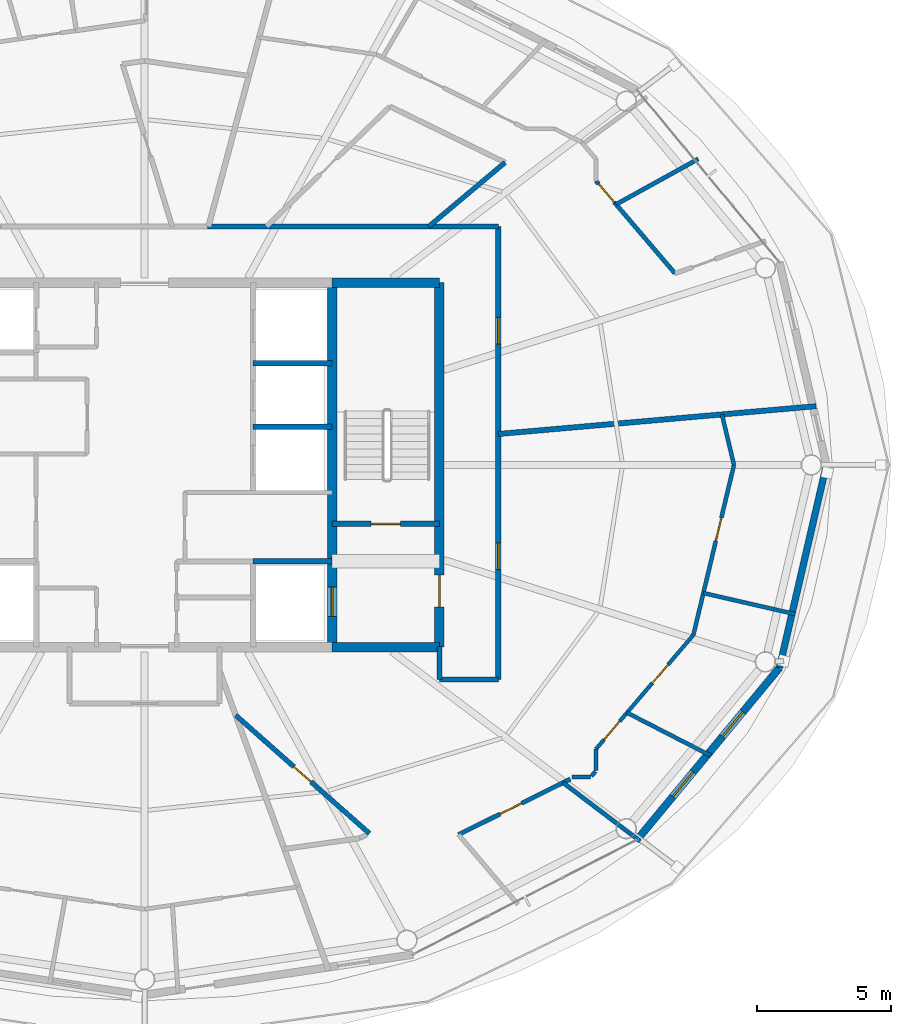
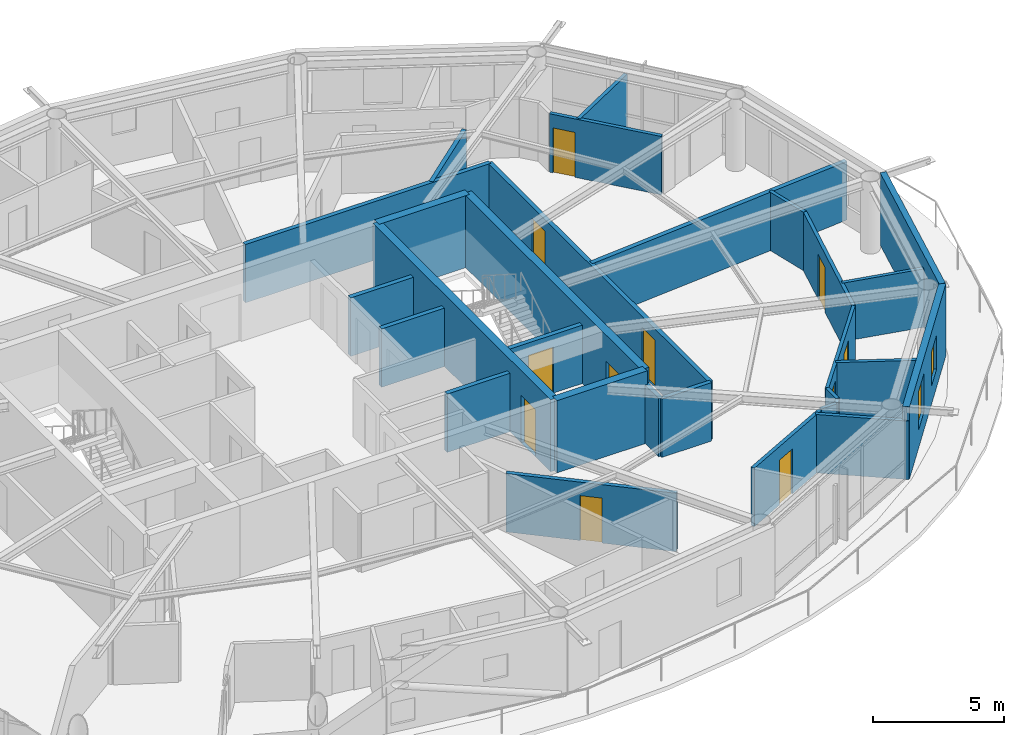
# One storey, part 18 of 23: 29 walls, 11 doors, 2 windows, 13 openings.
"""IFC4 building model written with IfcOpenShell, lengths in metres."""

from ifc_helpers import new_model, si_unit, direction, frame, frame_2d, origin, place, context, subcontext, project, spatial, rectangle, extrude, material, layer, layer_set, type_object, element, fill, save


model = new_model("IFC4")

# Units and contexts
model_context = context("Model", 3, precision=1e-05, world=origin(), true_north=direction((0.0, 1.0)))
body_context = subcontext(model_context, "Body", "Model", "MODEL_VIEW")
ifc_project = project(units=[si_unit("LENGTHUNIT", "METRE"), si_unit("AREAUNIT", "SQUARE_METRE"), si_unit("VOLUMEUNIT", "CUBIC_METRE"), si_unit("PLANEANGLEUNIT", "RADIAN"), si_unit("MASSUNIT", "GRAM", prefix="KILO")], contexts=[model_context])

# Site, building, storey
site_placement = place(None, origin())
site = spatial("IfcSite", under=ifc_project, at=site_placement, CompositionType="ELEMENT")
building_placement = place(site_placement, origin())
building = spatial("IfcBuilding", under=site, at=building_placement, Name="Sarneth Arch Tower", CompositionType="ELEMENT")
storey_placement = place(building_placement, frame((0.0, 0.0, 276.60009765625)))
storey = spatial("IfcBuildingStorey", under=building, at=storey_placement, Name="L71", CompositionType="ELEMENT", Elevation=276.60009765625)

# Walls
ifc_material_1 = material(Name="Concrete C50/60", Category="concrete")
ifc_layer_1 = layer(ifc_material_1, 0.35009765625)
ifc_layer_set_1 = layer_set([ifc_layer_1], Name="Concrete C50/60")
wall_type_1 = type_object("IfcWallType", Name="WALL-CORE-350", PredefinedType="SHEAR", material=ifc_layer_set_1)
for number, where, z_axis, x_axis, name in (
    (1, (55.0, 35.199951171875, 0.0), (0.0, 0.0, 1.0), (1.0, 0.0, 0.0), "L71 Core shear wall S-E"),
    (2, (55.0, 48.800048828125, 0.0), (0.0, 0.0, 1.0), (1.0, 0.0, 0.0), "L71 Core shear wall N-E"),
):
    element("IfcWall", number, at=place(storey_placement, frame(where, z_axis=z_axis, x_axis=x_axis)), inside=storey, type_object=wall_type_1, Name=name, PredefinedType="SHEAR", context=body_context, shape_type="SweptSolid", body=[
        extrude(rectangle(XDim=4.0, YDim=0.35009765625, at=frame_2d((2.0, 0.0))), origin(), (0.0, 0.0, 1.0), 3.369873046875),
    ])

# Wall, opening, door
wall_1_placement = place(storey_placement, frame((59.0, 35.199951171875, 0.0), z_axis=(0.0, 0.0, 1.0), x_axis=(0.0, 1.0, 0.0)))
wall_1 = element("IfcWall", 3, at=wall_1_placement, inside=storey, type_object=wall_type_1, Name="L71 Core shear wall E", PredefinedType="SHEAR", context=body_context, shape_type="SweptSolid", body=[
    extrude(rectangle(XDim=13.60009765625, YDim=0.35009765625, at=frame_2d((6.800048828125, 0.0))), origin(), (0.0, 0.0, 1.0), 3.369873046875),
])
opening_1_placement = place(wall_1_placement, frame((1.5, 0.0, 0.0)))
opening_1 = element("IfcOpeningElement", 4, at=opening_1_placement, cuts=wall_1, Name="Opening FD-02", PredefinedType="OPENING", context=body_context, shape_type="SweptSolid", body=[
    extrude(rectangle(XDim=1.199951171875, YDim=2.14990234375, at=frame_2d((0.60009765625, 1.074951171875))), frame((0.0, 0.18505859375, 0.0), z_axis=(0.0, -1.0, 0.0), x_axis=(1.0, 0.0, 0.0)), (0.0, 0.0, 1.0), 0.3701171875),
])
ifc_material_2 = material(Name="Galvanised Steel S275 fire door set", Category="steel")
door_type_1 = type_object("IfcDoorType", Name="DR-FD90-1200", OperationType="SINGLE_SWING_LEFT", PredefinedType="DOOR", material=ifc_material_2)
door_1_placement = place(opening_1_placement, origin())
door_1 = element("IfcDoor", 5, at=door_1_placement, inside=storey, type_object=door_type_1, Name="L71 Firefighting lobby 2 exit door", OperationType="SINGLE_SWING_RIGHT", OverallHeight=2.14990234375, OverallWidth=1.199951171875, PredefinedType="DOOR", context=body_context, shape_type="SweptSolid", body=[
    extrude(rectangle(XDim=1.199951171875, YDim=2.14990234375, at=frame_2d((0.60009765625, 1.074951171875))), frame((0.0, 0.02490234375, 0.0), z_axis=(0.0, -1.0, 0.0), x_axis=(1.0, 0.0, 0.0)), (0.0, 0.0, 1.0), 0.050048828125),
])
fill(opening_1, door_1)

wall_2_placement = place(storey_placement, frame((55.0, 35.199951171875, 0.0), z_axis=(0.0, 0.0, 1.0), x_axis=(0.0, 1.0, 0.0)))
wall_2 = element("IfcWall", 6, at=wall_2_placement, inside=storey, type_object=wall_type_1, Name="L71 Core shear wall WEB-E", PredefinedType="SHEAR", context=body_context, shape_type="SweptSolid", body=[
    extrude(rectangle(XDim=13.60009765625, YDim=0.35009765625, at=frame_2d((6.800048828125, 0.0))), origin(), (0.0, 0.0, 1.0), 3.369873046875),
])
opening_2_placement = place(wall_2_placement, frame((1.14990234375, 0.0, 0.0)))
opening_2 = element("IfcOpeningElement", 7, at=opening_2_placement, cuts=wall_2, Name="Opening LD-1", PredefinedType="OPENING", context=body_context, shape_type="SweptSolid", body=[
    extrude(rectangle(XDim=1.10009765625, YDim=2.199951171875, at=frame_2d((0.550048828125, 1.10009765625))), frame((0.0, 0.18505859375, 0.0), z_axis=(0.0, -1.0, 0.0), x_axis=(1.0, 0.0, 0.0)), (0.0, 0.0, 1.0), 0.3701171875),
])
ifc_material_3 = material(Name="Brushed Stainless Steel 304 lift landing door", Category="steel")
door_type_2 = type_object("IfcDoorType", Name="DR-LIFT-SLIDE-1100", OperationType="SLIDING_TO_LEFT", PredefinedType="DOOR", material=ifc_material_3)
door_2_placement = place(opening_2_placement, origin())
door_2 = element("IfcDoor", 8, at=door_2_placement, inside=storey, type_object=door_type_2, Name="L71 Firefighting lift landing door FL-2", OperationType="SLIDING_TO_RIGHT", OverallHeight=2.199951171875, OverallWidth=1.10009765625, PredefinedType="DOOR", context=body_context, shape_type="SweptSolid", body=[
    extrude(rectangle(XDim=1.10009765625, YDim=2.199951171875, at=frame_2d((0.550048828125, 1.10009765625))), frame((0.0, 0.02490234375, 0.0), z_axis=(0.0, -1.0, 0.0), x_axis=(1.0, 0.0, 0.0)), (0.0, 0.0, 1.0), 0.050048828125),
])
fill(opening_2, door_2)

# Wall, openings, doors
ifc_material_4 = material(Name="Double steel-stud corridor fire wall", Category="steel")
ifc_layer_2 = layer(ifc_material_4, 0.18994140625)
ifc_layer_set_2 = layer_set([ifc_layer_2], Name="Double steel-stud corridor fire wall")
wall_type_2 = type_object("IfcWallType", Name="WALL-CORR-190", PredefinedType="PARTITIONING", material=ifc_layer_set_2)
wall_3_placement = place(storey_placement, frame((61.199951171875, 50.89990234375, 0.0), z_axis=(0.0, 0.0, 1.0), x_axis=(0.0, -1.0, 0.0)))
wall_3 = element("IfcWall", 9, at=wall_3_placement, inside=storey, type_object=wall_type_2, Name="L71 Interior partition W-L71-TP-012", PredefinedType="PARTITIONING", context=body_context, shape_type="SweptSolid", body=[
    extrude(rectangle(XDim=16.89990234375, YDim=0.18994140625, at=frame_2d((8.449951171875, 0.0))), origin(), (0.0, 0.0, 1.0), 2.72998046875),
])
opening_3_placement = place(wall_3_placement, frame((11.806640625, 0.0, 0.0)))
opening_3 = element("IfcOpeningElement", 10, at=opening_3_placement, cuts=wall_3, Name="Opening FD-08", PredefinedType="OPENING", context=body_context, shape_type="SweptSolid", body=[
    extrude(rectangle(XDim=1.0, YDim=2.199951171875, at=frame_2d((0.5, 1.10009765625))), frame((0.0, 0.10498046875, 0.0), z_axis=(0.0, -1.0, 0.0), x_axis=(1.0, 0.0, 0.0)), (0.0, 0.0, 1.0), 0.2099609375),
])
opening_4_placement = place(wall_3_placement, frame((3.388671875, 0.0, 0.0)))
opening_4 = element("IfcOpeningElement", 11, at=opening_4_placement, cuts=wall_3, Name="Opening FD-08", PredefinedType="OPENING", context=body_context, shape_type="SweptSolid", body=[
    extrude(rectangle(XDim=1.0, YDim=2.199951171875, at=frame_2d((0.5, 1.10009765625))), frame((0.0, 0.10498046875, 0.0), z_axis=(0.0, -1.0, 0.0), x_axis=(1.0, 0.0, 0.0)), (0.0, 0.0, 1.0), 0.2099609375),
])
ifc_material_5 = material(Name="Hardwood timber acoustic fire door", Category="wood")
door_type_3 = type_object("IfcDoorType", Name="DR-FD60-1000", OperationType="SINGLE_SWING_LEFT", PredefinedType="DOOR", material=ifc_material_5)
door_3_placement = place(opening_3_placement, origin())
door_3 = element("IfcDoor", 12, at=door_3_placement, inside=storey, type_object=door_type_3, Name="L71 Interior door DR-L71-U5-ENT", OperationType="SINGLE_SWING_RIGHT", OverallHeight=2.199951171875, OverallWidth=1.0, PredefinedType="DOOR", context=body_context, shape_type="SweptSolid", body=[
    extrude(rectangle(XDim=1.0, YDim=2.199951171875, at=frame_2d((0.5, 1.10009765625))), frame((0.0, 0.02490234375, 0.0), z_axis=(0.0, -1.0, 0.0), x_axis=(1.0, 0.0, 0.0)), (0.0, 0.0, 1.0), 0.050048828125),
])
fill(opening_3, door_3)
door_4_placement = place(opening_4_placement, origin())
door_4 = element("IfcDoor", 13, at=door_4_placement, inside=storey, type_object=door_type_3, Name="L71 Interior door DR-L71-U1-ENT", OperationType="SINGLE_SWING_LEFT", OverallHeight=2.199951171875, OverallWidth=1.0, PredefinedType="DOOR", context=body_context, shape_type="SweptSolid", body=[
    extrude(rectangle(XDim=1.0, YDim=2.199951171875, at=frame_2d((0.5, 1.10009765625))), frame((0.0, 0.02490234375, 0.0), z_axis=(0.0, -1.0, 0.0), x_axis=(1.0, 0.0, 0.0)), (0.0, 0.0, 1.0), 0.050048828125),
])
fill(opening_4, door_4)

# Walls
wall_4_placement = place(storey_placement, frame((50.3515625, 50.89990234375, 0.0), z_axis=(0.0, 0.0, 1.0), x_axis=(1.0, 0.0, 0.0)))
element("IfcWall", 14, at=wall_4_placement, inside=storey, type_object=wall_type_2, Name="L71 Interior partition W-L71-TP-004", PredefinedType="PARTITIONING", context=body_context, shape_type="SweptSolid", body=[
    extrude(rectangle(XDim=10.848388671875, YDim=0.18994140625, at=frame_2d((5.42431640625, 0.0))), origin(), (0.0, 0.0, 1.0), 2.72998046875),
])
wall_5_placement = place(storey_placement, frame((61.199951171875, 34.0, 0.0), z_axis=(0.0, 0.0, 1.0), x_axis=(-1.0, 0.0, 0.0)))
element("IfcWall", 15, at=wall_5_placement, inside=storey, type_object=wall_type_2, Name="L71 Interior partition W-L71-TP-013", PredefinedType="PARTITIONING", context=body_context, shape_type="SweptSolid", body=[
    extrude(rectangle(XDim=2.199951171875, YDim=0.18994140625, at=frame_2d((1.10009765625, 0.0))), origin(), (0.0, 0.0, 1.0), 2.72998046875),
])
wall_6_placement = place(storey_placement, frame((59.0, 34.0, 0.0), z_axis=(0.0, 0.0, 1.0), x_axis=(0.0, 1.0, 0.0)))
element("IfcWall", 16, at=wall_6_placement, inside=storey, type_object=wall_type_2, Name="L71 Interior partition W-L71-TP-014", PredefinedType="PARTITIONING", context=body_context, shape_type="SweptSolid", body=[
    extrude(rectangle(XDim=1.23193359375, YDim=0.18994140625, at=frame_2d((0.615966796875, 0.0))), origin(), (0.0, 0.0, 1.0), 2.72998046875),
])
ifc_material_6 = material(Name="Extruded terracotta rainscreen on Concrete C40/50 backing", Category="masonry")
ifc_layer_3 = layer(ifc_material_6, 0.25)
ifc_layer_set_3 = layer_set([ifc_layer_3], Name="Extruded terracotta rainscreen on Concrete C40/50 backing")
wall_type_3 = type_object("IfcWallType", Name="WALL-EXT-SPAND-250", PredefinedType="SOLIDWALL", material=ifc_layer_set_3)
wall_7_placement = place(storey_placement, frame((71.69384765625, 34.430419921875, 0.0), z_axis=(0.0, 0.0, 1.0), x_axis=(0.225635078214, 0.974211892495, 0.0)))
element("IfcWall", 17, at=wall_7_placement, inside=storey, type_object=wall_type_3, Name="L71 Terracotta perimeter wall 16", PredefinedType="SOLIDWALL", context=body_context, shape_type="SweptSolid", body=[
    extrude(rectangle(XDim=7.77001953125, YDim=0.25, at=frame_2d((3.885009765625, 0.0))), origin(), (0.0, 0.0, 1.0), 3.369873046875),
])

# Wall, openings, windows
ifc_material_7 = material(Name="Extruded terracotta rainscreen on Concrete C40/50 backing", Category="masonry")
ifc_layer_4 = layer(ifc_material_7, 0.280029296875)
ifc_layer_set_4 = layer_set([ifc_layer_4], Name="Extruded terracotta rainscreen on Concrete C40/50 backing")
wall_type_4 = type_object("IfcWallType", Name="WALL-EXT-TERRA-280", PredefinedType="SOLIDWALL", material=ifc_layer_set_4)
wall_8_placement = place(storey_placement, frame((66.382568359375, 28.013427734375, 0.0), z_axis=(0.0, 0.0, 1.0), x_axis=(0.63761509934, 0.770355103243, 0.0)))
wall_8 = element("IfcWall", 18, at=wall_8_placement, inside=storey, type_object=wall_type_4, Name="L71 Terracotta perimeter wall 15", PredefinedType="SOLIDWALL", context=body_context, shape_type="SweptSolid", body=[
    extrude(rectangle(XDim=8.329833984375, YDim=0.280029296875, at=frame_2d((4.1650390625, 0.0))), origin(), (0.0, 0.0, 1.0), 3.369873046875),
])
opening_5_placement = place(wall_8_placement, frame((2.0859375, 0.0, 0.85009765625)))
opening_5 = element("IfcOpeningElement", 19, at=opening_5_placement, cuts=wall_8, Name="Opening W-09", PredefinedType="OPENING", context=body_context, shape_type="SweptSolid", body=[
    extrude(rectangle(XDim=1.199951171875, YDim=1.800048828125, at=frame_2d((0.60009765625, 0.89990234375))), frame((0.0, 0.14990234375, 0.0), z_axis=(0.0, -1.0, 0.0), x_axis=(1.0, 0.0, 0.0)), (0.0, 0.0, 1.0), 0.300048828125),
])
opening_6_placement = place(wall_8_placement, frame((4.990966796875, 0.0, 0.85009765625)))
opening_6 = element("IfcOpeningElement", 20, at=opening_6_placement, cuts=wall_8, Name="Opening W-10", PredefinedType="OPENING", context=body_context, shape_type="SweptSolid", body=[
    extrude(rectangle(XDim=1.199951171875, YDim=1.60009765625, at=frame_2d((0.60009765625, 0.800048828125))), frame((0.0, 0.14990234375, 0.0), z_axis=(0.0, -1.0, 0.0), x_axis=(1.0, 0.0, 0.0)), (0.0, 0.0, 1.0), 0.300048828125),
])
ifc_material_8 = material(Name="Thermally broken Aluminium 6063-T6 and low-e laminated IGU", Category="aluminium")
window_type_1 = type_object("IfcWindowType", Name="WIN-TWR-1200x1600", PartitioningType="SINGLE_PANEL", PredefinedType="WINDOW", material=ifc_material_8)
window_1_placement = place(opening_6_placement, origin())
window_1 = element("IfcWindow", 21, at=window_1_placement, inside=storey, type_object=window_type_1, Name="L71 Exterior window 15B", OverallHeight=1.60009765625, OverallWidth=1.199951171875, PartitioningType="SINGLE_PANEL", PredefinedType="WINDOW", context=body_context, shape_type="SweptSolid", body=[
    extrude(rectangle(XDim=1.199951171875, YDim=1.60009765625, at=frame_2d((0.60009765625, 0.800048828125))), frame((0.0, 0.030029296875, 0.0), z_axis=(0.0, -1.0, 0.0), x_axis=(1.0, 0.0, 0.0)), (0.0, 0.0, 1.0), 0.06005859375),
])
fill(opening_6, window_1)
ifc_material_9 = material(Name="Thermally broken Aluminium 6063-T6 and low-e laminated IGU", Category="aluminium")
window_type_2 = type_object("IfcWindowType", Name="WIN-TWR-1200x1800", PartitioningType="SINGLE_PANEL", PredefinedType="WINDOW", material=ifc_material_9)
window_2_placement = place(opening_5_placement, origin())
window_2 = element("IfcWindow", 22, at=window_2_placement, inside=storey, type_object=window_type_2, Name="L71 Exterior window 15A", OverallHeight=1.800048828125, OverallWidth=1.199951171875, PartitioningType="SINGLE_PANEL", PredefinedType="WINDOW", context=body_context, shape_type="SweptSolid", body=[
    extrude(rectangle(XDim=1.199951171875, YDim=1.800048828125, at=frame_2d((0.60009765625, 0.89990234375))), frame((0.0, 0.030029296875, 0.0), z_axis=(0.0, -1.0, 0.0), x_axis=(1.0, 0.0, 0.0)), (0.0, 0.0, 1.0), 0.06005859375),
])
fill(opening_5, window_2)

# Wall, openings, doors
ifc_material_10 = material(Name="Apartment internal stud partition", Category="gypsum")
ifc_layer_5 = layer(ifc_material_10, 0.139892578125)
ifc_layer_set_5 = layer_set([ifc_layer_5], Name="Apartment internal stud partition")
wall_type_5 = type_object("IfcWallType", Name="WALL-PART-140", PredefinedType="PARTITIONING", material=ifc_layer_set_5)
wall_9_placement = place(storey_placement, frame((64.85009765625, 31.401123046875, 0.0), z_axis=(0.0, 0.0, 1.0), x_axis=(0.649208179997, 0.760610767097, 0.0)))
wall_9 = element("IfcWall", 23, at=wall_9_placement, inside=storey, type_object=wall_type_5, Name="L71 Interior partition W-L71-TP-091", PredefinedType="PARTITIONING", context=body_context, shape_type="SweptSolid", body=[
    extrude(rectangle(XDim=5.5927734375, YDim=0.139892578125, at=frame_2d((2.79638671875, 0.0))), origin(), (0.0, 0.0, 1.0), 2.72998046875),
])
opening_7_placement = place(wall_9_placement, frame((3.235107421875, 0.0, 0.0)))
opening_7 = element("IfcOpeningElement", 24, at=opening_7_placement, cuts=wall_9, Name="Opening ID-01", PredefinedType="OPENING", context=body_context, shape_type="SweptSolid", body=[
    extrude(rectangle(XDim=0.89990234375, YDim=2.10009765625, at=frame_2d((0.449951171875, 1.050048828125))), frame((0.0, 0.079833984375, 0.0), z_axis=(0.0, -1.0, 0.0), x_axis=(1.0, 0.0, 0.0)), (0.0, 0.0, 1.0), 0.159912109375),
])
opening_8_placement = place(wall_9_placement, frame((0.455078125, 0.0, 0.0)))
opening_8 = element("IfcOpeningElement", 25, at=opening_8_placement, cuts=wall_9, Name="Opening ID-01", PredefinedType="OPENING", context=body_context, shape_type="SweptSolid", body=[
    extrude(rectangle(XDim=0.89990234375, YDim=2.10009765625, at=frame_2d((0.449951171875, 1.050048828125))), frame((0.0, 0.079833984375, 0.0), z_axis=(0.0, -1.0, 0.0), x_axis=(1.0, 0.0, 0.0)), (0.0, 0.0, 1.0), 0.159912109375),
])
ifc_material_11 = material(Name="Engineered hardwood flush door", Category="wood")
door_type_4 = type_object("IfcDoorType", Name="DR-INT-900", OperationType="SINGLE_SWING_LEFT", PredefinedType="DOOR", material=ifc_material_11)
door_5_placement = place(opening_7_placement, origin())
door_5 = element("IfcDoor", 26, at=door_5_placement, inside=storey, type_object=door_type_4, Name="L71 Interior door DR-L71-U5-BED2", OperationType="SINGLE_SWING_LEFT", OverallHeight=2.10009765625, OverallWidth=0.89990234375, PredefinedType="DOOR", context=body_context, shape_type="SweptSolid", body=[
    extrude(rectangle(XDim=0.89990234375, YDim=2.10009765625, at=frame_2d((0.449951171875, 1.050048828125))), frame((0.0, 0.02490234375, 0.0), z_axis=(0.0, -1.0, 0.0), x_axis=(1.0, 0.0, 0.0)), (0.0, 0.0, 1.0), 0.050048828125),
])
fill(opening_7, door_5)
door_6_placement = place(opening_8_placement, origin())
door_6 = element("IfcDoor", 27, at=door_6_placement, inside=storey, type_object=door_type_4, Name="L71 Interior door DR-L71-U5-BED1", OperationType="SINGLE_SWING_RIGHT", OverallHeight=2.10009765625, OverallWidth=0.89990234375, PredefinedType="DOOR", context=body_context, shape_type="SweptSolid", body=[
    extrude(rectangle(XDim=0.89990234375, YDim=2.10009765625, at=frame_2d((0.449951171875, 1.050048828125))), frame((0.0, 0.02490234375, 0.0), z_axis=(0.0, -1.0, 0.0), x_axis=(1.0, 0.0, 0.0)), (0.0, 0.0, 1.0), 0.050048828125),
])
fill(opening_8, door_6)

# Wall, opening, door
ifc_material_12 = material(Name="Acoustic gypsum stud partition", Category="gypsum")
ifc_layer_6 = layer(ifc_material_12, 0.14990234375)
ifc_layer_set_6 = layer_set([ifc_layer_6], Name="Acoustic gypsum stud partition")
wall_type_6 = type_object("IfcWallType", Name="WALL-PART-150", PredefinedType="PARTITIONING", material=ifc_layer_set_6)
wall_10_placement = place(storey_placement, frame((69.996337890625, 42.0, 0.0), z_axis=(0.0, 0.0, 1.0), x_axis=(-0.232298462197, -0.972644551962, 0.0)))
wall_10 = element("IfcWall", 28, at=wall_10_placement, inside=storey, type_object=wall_type_6, Name="L71 Interior partition W-L71-TP-094", PredefinedType="PARTITIONING", context=body_context, shape_type="SweptSolid", body=[
    extrude(rectangle(XDim=6.5234375, YDim=0.14990234375, at=frame_2d((3.26171875, 0.0))), origin(), (0.0, 0.0, 1.0), 2.72998046875),
])
opening_9_placement = place(wall_10_placement, frame((2.024169921875, 0.0, 0.0)))
opening_9 = element("IfcOpeningElement", 29, at=opening_9_placement, cuts=wall_10, Name="Opening ID-01", PredefinedType="OPENING", context=body_context, shape_type="SweptSolid", body=[
    extrude(rectangle(XDim=0.89990234375, YDim=2.10009765625, at=frame_2d((0.449951171875, 1.050048828125))), frame((0.0, 0.0849609375, 0.0), z_axis=(0.0, -1.0, 0.0), x_axis=(1.0, 0.0, 0.0)), (0.0, 0.0, 1.0), 0.169921875),
])
door_7_placement = place(opening_9_placement, origin())
door_7 = element("IfcDoor", 30, at=door_7_placement, inside=storey, type_object=door_type_4, Name="L71 Interior door DR-L71-U5-BED3", OperationType="SINGLE_SWING_LEFT", OverallHeight=2.10009765625, OverallWidth=0.89990234375, PredefinedType="DOOR", context=body_context, shape_type="SweptSolid", body=[
    extrude(rectangle(XDim=0.89990234375, YDim=2.10009765625, at=frame_2d((0.449951171875, 1.050048828125))), frame((0.0, 0.02490234375, 0.0), z_axis=(0.0, -1.0, 0.0), x_axis=(1.0, 0.0, 0.0)), (0.0, 0.0, 1.0), 0.050048828125),
])
fill(opening_9, door_7)

# Walls
wall_11_placement = place(storey_placement, frame((72.280517578125, 36.432373046875, 0.0), z_axis=(0.0, 0.0, 1.0), x_axis=(-0.974703956651, 0.223499881182, 0.0)))
element("IfcWall", 31, at=wall_11_placement, inside=storey, type_object=wall_type_6, Name="L71 Interior partition W-L71-TP-097", PredefinedType="PARTITIONING", context=body_context, shape_type="SweptSolid", body=[
    extrude(rectangle(XDim=3.51513671875, YDim=0.14990234375, at=frame_2d((1.757568359375, 0.0))), origin(), (0.0, 0.0, 1.0), 2.72998046875),
])
wall_12_placement = place(storey_placement, frame((69.128662109375, 31.147705078125, 0.0), z_axis=(0.0, 0.0, 1.0), x_axis=(-0.889538013169, 0.456861163951, 0.0)))
element("IfcWall", 32, at=wall_12_placement, inside=storey, type_object=wall_type_6, Name="L71 Interior partition W-L71-TP-096", PredefinedType="PARTITIONING", context=body_context, shape_type="SweptSolid", body=[
    extrude(rectangle(XDim=3.512939453125, YDim=0.14990234375, at=frame_2d((1.75634765625, 0.0))), origin(), (0.0, 0.0, 1.0), 2.72998046875),
])
wall_13_placement = place(storey_placement, frame((69.546142578125, 43.885009765625, 0.0), z_axis=(0.0, 0.0, 1.0), x_axis=(0.232296027223, -0.972645133508, 0.0)))
element("IfcWall", 33, at=wall_13_placement, inside=storey, type_object=wall_type_6, Name="L71 Interior partition W-L71-TP-093", PredefinedType="PARTITIONING", context=body_context, shape_type="SweptSolid", body=[
    extrude(rectangle(XDim=1.93798828125, YDim=0.14990234375, at=frame_2d((0.968994140625, 0.0))), origin(), (0.0, 0.0, 1.0), 2.72998046875),
])
wall_14_placement = place(storey_placement, frame((64.85009765625, 31.401123046875, 0.0), z_axis=(0.0, 0.0, 1.0), x_axis=(0.0, -1.0, 0.0)))
element("IfcWall", 34, at=wall_14_placement, inside=storey, type_object=wall_type_6, Name="L71 Interior partition W-L71-TP-087", PredefinedType="PARTITIONING", context=body_context, shape_type="SweptSolid", body=[
    extrude(rectangle(XDim=0.8115234375, YDim=0.14990234375, at=frame_2d((0.40576171875, 0.0))), origin(), (0.0, 0.0, 1.0), 2.72998046875),
])
wall_15_placement = place(storey_placement, frame((64.6455078125, 30.35009765625, 0.0), z_axis=(0.0, 0.0, 1.0), x_axis=(-1.0, 0.0, 0.0)))
element("IfcWall", 35, at=wall_15_placement, inside=storey, type_object=wall_type_6, Name="L71 Interior partition W-L71-TP-089", PredefinedType="PARTITIONING", context=body_context, shape_type="SweptSolid", body=[
    extrude(rectangle(XDim=0.692626953125, YDim=0.14990234375, at=frame_2d((0.34619140625, 0.0))), origin(), (0.0, 0.0, 1.0), 2.72998046875),
])
wall_16_placement = place(storey_placement, frame((64.823974609375, 30.559326171875, 0.0), z_axis=(0.0, 0.0, 1.0), x_axis=(-0.648874632887, -0.760895334981, 0.0)))
element("IfcWall", 36, at=wall_16_placement, inside=storey, type_object=wall_type_6, Name="L71 Interior partition W-L71-TP-088", PredefinedType="PARTITIONING", context=body_context, shape_type="SweptSolid", body=[
    extrude(rectangle(XDim=0.23095703125, YDim=0.14990234375, at=frame_2d((0.115478515625, 0.0))), origin(), (0.0, 0.0, 1.0), 2.72998046875),
])

# Wall, opening, door
ifc_material_13 = material(Name="Kitchen wet service chase wall", Category="gypsum")
ifc_layer_7 = layer(ifc_material_13, 0.159912109375)
ifc_layer_set_7 = layer_set([ifc_layer_7], Name="Kitchen wet service chase wall")
wall_type_7 = type_object("IfcWallType", Name="WALL-PLUMB-160", PredefinedType="PLUMBINGWALL", material=ifc_layer_set_7)
wall_17_placement = place(storey_placement, frame((59.71826171875, 28.203857421875, 0.0), z_axis=(0.0, 0.0, 1.0), x_axis=(0.895587741002, 0.444884926882, 0.0)))
wall_17 = element("IfcWall", 37, at=wall_17_placement, inside=storey, type_object=wall_type_7, Name="L71 Interior partition W-L71-TP-082", PredefinedType="PLUMBINGWALL", context=body_context, shape_type="SweptSolid", body=[
    extrude(rectangle(XDim=4.657958984375, YDim=0.159912109375, at=frame_2d((2.3291015625, 0.0))), origin(), (0.0, 0.0, 1.0), 2.72998046875),
])
opening_10_placement = place(wall_17_placement, frame((1.727783203125, 0.0, 0.0)))
opening_10 = element("IfcOpeningElement", 38, at=opening_10_placement, cuts=wall_17, Name="Opening ID-01", PredefinedType="OPENING", context=body_context, shape_type="SweptSolid", body=[
    extrude(rectangle(XDim=0.89990234375, YDim=2.10009765625, at=frame_2d((0.449951171875, 1.050048828125))), frame((0.0, 0.08984375, 0.0), z_axis=(0.0, -1.0, 0.0), x_axis=(1.0, 0.0, 0.0)), (0.0, 0.0, 1.0), 0.179931640625),
])
door_8_placement = place(opening_10_placement, origin())
door_8 = element("IfcDoor", 39, at=door_8_placement, inside=storey, type_object=door_type_4, Name="L71 Interior door DR-L71-U5-KIT", OperationType="SINGLE_SWING_LEFT", OverallHeight=2.10009765625, OverallWidth=0.89990234375, PredefinedType="DOOR", context=body_context, shape_type="SweptSolid", body=[
    extrude(rectangle(XDim=0.89990234375, YDim=2.10009765625, at=frame_2d((0.449951171875, 1.050048828125))), frame((0.0, 0.02490234375, 0.0), z_axis=(0.0, -1.0, 0.0), x_axis=(1.0, 0.0, 0.0)), (0.0, 0.0, 1.0), 0.050048828125),
])
fill(opening_10, door_8)

# Walls
wall_18_placement = place(storey_placement, frame((63.619140625, 30.1416015625, 0.0), z_axis=(0.0, 0.0, 1.0), x_axis=(0.796471054337, -0.604676657068, 0.0)))
element("IfcWall", 40, at=wall_18_placement, inside=storey, type_object=wall_type_7, Name="L71 Interior partition W-L71-TP-095", PredefinedType="PLUMBINGWALL", context=body_context, shape_type="SweptSolid", body=[
    extrude(rectangle(XDim=3.608642578125, YDim=0.159912109375, at=frame_2d((1.80419921875, 0.0))), origin(), (0.0, 0.0, 1.0), 2.72998046875),
])
wall_19_placement = place(storey_placement, frame((65.596923828125, 51.7236328125, 0.0), z_axis=(0.0, 0.0, 1.0), x_axis=(0.875279589691, 0.483617245216, 0.0)))
element("IfcWall", 41, at=wall_19_placement, inside=storey, type_object=wall_type_7, Name="L71 Interior partition W-L71-TP-037", PredefinedType="PLUMBINGWALL", context=body_context, shape_type="SweptSolid", body=[
    extrude(rectangle(XDim=3.501953125, YDim=0.159912109375, at=frame_2d((1.7509765625, 0.0))), origin(), (0.0, 0.0, 1.0), 2.72998046875),
])

# Wall, opening, door
wall_20_placement = place(storey_placement, frame((67.798583984375, 49.144287109375, 0.0), z_axis=(0.0, 0.0, 1.0), x_axis=(-0.649191845301, 0.760624709035, 0.0)))
wall_20 = element("IfcWall", 42, at=wall_20_placement, inside=storey, type_object=wall_type_7, Name="L71 Interior partition W-L71-TP-023", PredefinedType="PLUMBINGWALL", context=body_context, shape_type="SweptSolid", body=[
    extrude(rectangle(XDim=4.541748046875, YDim=0.159912109375, at=frame_2d((2.27099609375, 0.0))), origin(), (0.0, 0.0, 1.0), 2.72998046875),
])
opening_11_placement = place(wall_20_placement, frame((3.500244140625, 0.0, 0.0)))
opening_11 = element("IfcOpeningElement", 43, at=opening_11_placement, cuts=wall_20, Name="Opening ID-01", PredefinedType="OPENING", context=body_context, shape_type="SweptSolid", body=[
    extrude(rectangle(XDim=0.89990234375, YDim=2.10009765625, at=frame_2d((0.449951171875, 1.050048828125))), frame((0.0, 0.08984375, 0.0), z_axis=(0.0, -1.0, 0.0), x_axis=(1.0, 0.0, 0.0)), (0.0, 0.0, 1.0), 0.179931640625),
])
door_9_placement = place(opening_11_placement, origin())
door_9 = element("IfcDoor", 44, at=door_9_placement, inside=storey, type_object=door_type_4, Name="L71 Interior door DR-L71-U1-STD", OperationType="SINGLE_SWING_LEFT", OverallHeight=2.10009765625, OverallWidth=0.89990234375, PredefinedType="DOOR", context=body_context, shape_type="SweptSolid", body=[
    extrude(rectangle(XDim=0.89990234375, YDim=2.10009765625, at=frame_2d((0.449951171875, 1.050048828125))), frame((0.0, 0.02490234375, 0.0), z_axis=(0.0, -1.0, 0.0), x_axis=(1.0, 0.0, 0.0)), (0.0, 0.0, 1.0), 0.050048828125),
])
fill(opening_11, door_9)

ifc_material_14 = material(Name="Moisture-resistant plumbing chase wall", Category="gypsum")
ifc_layer_8 = layer(ifc_material_14, 0.179931640625)
ifc_layer_set_8 = layer_set([ifc_layer_8], Name="Moisture-resistant plumbing chase wall")
wall_type_8 = type_object("IfcWallType", Name="WALL-PLUMB-180", PredefinedType="PLUMBINGWALL", material=ifc_layer_set_8)
wall_21_placement = place(storey_placement, frame((56.389404296875, 28.24609375, 0.0), z_axis=(0.0, 0.0, 1.0), x_axis=(-0.749087509224, 0.662471058632, 0.0)))
wall_21 = element("IfcWall", 45, at=wall_21_placement, inside=storey, type_object=wall_type_8, Name="L71 Interior partition W-L71-TP-085", PredefinedType="PLUMBINGWALL", context=body_context, shape_type="SweptSolid", body=[
    extrude(rectangle(XDim=6.660400390625, YDim=0.179931640625, at=frame_2d((3.330078125, 0.0))), origin(), (0.0, 0.0, 1.0), 2.72998046875),
])
opening_12_placement = place(wall_21_placement, frame((2.9052734375, 0.0, 0.0)))
opening_12 = element("IfcOpeningElement", 46, at=opening_12_placement, cuts=wall_21, Name="Opening ID-02", PredefinedType="OPENING", context=body_context, shape_type="SweptSolid", body=[
    extrude(rectangle(XDim=0.85009765625, YDim=2.10009765625, at=frame_2d((0.425048828125, 1.050048828125))), frame((0.0, 0.099853515625, 0.0), z_axis=(0.0, -1.0, 0.0), x_axis=(1.0, 0.0, 0.0)), (0.0, 0.0, 1.0), 0.199951171875),
])
ifc_material_15 = material(Name="Moisture-resistant bathroom timber door", Category="wood")
door_type_5 = type_object("IfcDoorType", Name="DR-INT-850", OperationType="SINGLE_SWING_RIGHT", PredefinedType="DOOR", material=ifc_material_15)
door_10_placement = place(opening_12_placement, origin())
door_10 = element("IfcDoor", 47, at=door_10_placement, inside=storey, type_object=door_type_5, Name="L71 Interior door DR-L71-U5-BATH", OperationType="SINGLE_SWING_LEFT", OverallHeight=2.10009765625, OverallWidth=0.85009765625, PredefinedType="DOOR", context=body_context, shape_type="SweptSolid", body=[
    extrude(rectangle(XDim=0.85009765625, YDim=2.10009765625, at=frame_2d((0.425048828125, 1.050048828125))), frame((0.0, 0.02490234375, 0.0), z_axis=(0.0, -1.0, 0.0), x_axis=(1.0, 0.0, 0.0)), (0.0, 0.0, 1.0), 0.050048828125),
])
fill(opening_12, door_10)

# Wall
wall_22_placement = place(storey_placement, frame((58.606689453125, 50.89990234375, 0.0), z_axis=(0.0, 0.0, 1.0), x_axis=(0.766018186203, 0.642818900163, 0.0)))
element("IfcWall", 48, at=wall_22_placement, inside=storey, type_object=wall_type_8, Name="L71 Interior partition W-L71-TP-024", PredefinedType="PLUMBINGWALL", context=body_context, shape_type="SweptSolid", body=[
    extrude(rectangle(XDim=3.713623046875, YDim=0.179931640625, at=frame_2d((1.85693359375, 0.0))), origin(), (0.0, 0.0, 1.0), 2.72998046875),
])

# Wall, opening, door
ifc_material_16 = material(Name="Aerated concrete blockwork C25/30", Category="masonry")
ifc_layer_9 = layer(ifc_material_16, 0.199951171875)
ifc_layer_set_9 = layer_set([ifc_layer_9], Name="Aerated concrete blockwork C25/30")
wall_type_9 = type_object("IfcWallType", Name="WALL-SHAFT-200", PredefinedType="SOLIDWALL", material=ifc_layer_set_9)
wall_23_placement = place(storey_placement, frame((55.0, 39.800048828125, 0.0), z_axis=(0.0, 0.0, 1.0), x_axis=(1.0, 0.0, 0.0)))
wall_23 = element("IfcWall", 49, at=wall_23_placement, inside=storey, type_object=wall_type_9, Name="L71 Interior partition W-L71-ST2-S", PredefinedType="SOLIDWALL", context=body_context, shape_type="SweptSolid", body=[
    extrude(rectangle(XDim=4.0, YDim=0.199951171875, at=frame_2d((2.0, 0.0))), origin(), (0.0, 0.0, 1.0), 2.72998046875),
])
opening_13_placement = place(wall_23_placement, frame((1.449951171875, 0.0, 0.0)))
opening_13 = element("IfcOpeningElement", 50, at=opening_13_placement, cuts=wall_23, Name="Opening FD-03", PredefinedType="OPENING", context=body_context, shape_type="SweptSolid", body=[
    extrude(rectangle(XDim=1.10009765625, YDim=2.14990234375, at=frame_2d((0.550048828125, 1.074951171875))), frame((0.0, 0.10986328125, 0.0), z_axis=(0.0, -1.0, 0.0), x_axis=(1.0, 0.0, 0.0)), (0.0, 0.0, 1.0), 0.219970703125),
])
ifc_material_17 = material(Name="Galvanised Steel S275 fire door set", Category="steel")
door_type_6 = type_object("IfcDoorType", Name="DR-FD90-1100", OperationType="SINGLE_SWING_LEFT", PredefinedType="DOOR", material=ifc_material_17)
door_11_placement = place(opening_13_placement, origin())
door_11 = element("IfcDoor", 51, at=door_11_placement, inside=storey, type_object=door_type_6, Name="L71 Interior door DR-L71-ST2", OperationType="SINGLE_SWING_RIGHT", OverallHeight=2.14990234375, OverallWidth=1.10009765625, PredefinedType="DOOR", context=body_context, shape_type="SweptSolid", body=[
    extrude(rectangle(XDim=1.10009765625, YDim=2.14990234375, at=frame_2d((0.550048828125, 1.074951171875))), frame((0.0, 0.02490234375, 0.0), z_axis=(0.0, -1.0, 0.0), x_axis=(1.0, 0.0, 0.0)), (0.0, 0.0, 1.0), 0.050048828125),
])
fill(opening_13, door_11)

# Walls
for number, where, z_axis, x_axis, name in (
    (52, (52.050048828125, 38.39990234375, 0.0), (0.0, 0.0, 1.0), (1.0, 0.0, 0.0), "L71 Interior partition W-L71-FL2-N"),
    (53, (52.050048828125, 43.419921875, 0.0), (0.0, 0.0, 1.0), (1.0, 0.0, 0.0), "L71 Interior partition W-L71-EB-DIV-4342"),
    (54, (52.050048828125, 45.800048828125, 0.0), (0.0, 0.0, 1.0), (1.0, 0.0, 0.0), "L71 Interior partition W-L71-EB-DIV-4580"),
):
    element("IfcWall", number, at=place(storey_placement, frame(where, z_axis=z_axis, x_axis=x_axis)), inside=storey, type_object=wall_type_9, Name=name, PredefinedType="SOLIDWALL", context=body_context, shape_type="SweptSolid", body=[
        extrude(rectangle(XDim=2.949951171875, YDim=0.199951171875, at=frame_2d((1.47509765625, 0.0))), origin(), (0.0, 0.0, 1.0), 2.72998046875),
    ])
ifc_material_18 = material(Name="Double steel-stud acoustic drywall", Category="steel")
ifc_layer_10 = layer(ifc_material_18, 0.199951171875)
ifc_layer_set_10 = layer_set([ifc_layer_10], Name="Double steel-stud acoustic drywall")
wall_type_10 = type_object("IfcWallType", Name="WALL-UNIT-200", PredefinedType="PARTITIONING", material=ifc_layer_set_10)
wall_24_placement = place(storey_placement, frame((73.06103515625, 44.1923828125, 0.0), z_axis=(0.0, 0.0, 1.0), x_axis=(-0.996195520097, -0.087146346673, 0.0)))
element("IfcWall", 55, at=wall_24_placement, inside=storey, type_object=wall_type_10, Name="L71 Interior partition W-L71-TP-035", PredefinedType="PARTITIONING", context=body_context, shape_type="SweptSolid", body=[
    extrude(rectangle(XDim=11.906494140625, YDim=0.199951171875, at=frame_2d((5.953125, 0.0))), origin(), (0.0, 0.0, 1.0), 2.72998046875),
])

save(model, "model.ifc")
